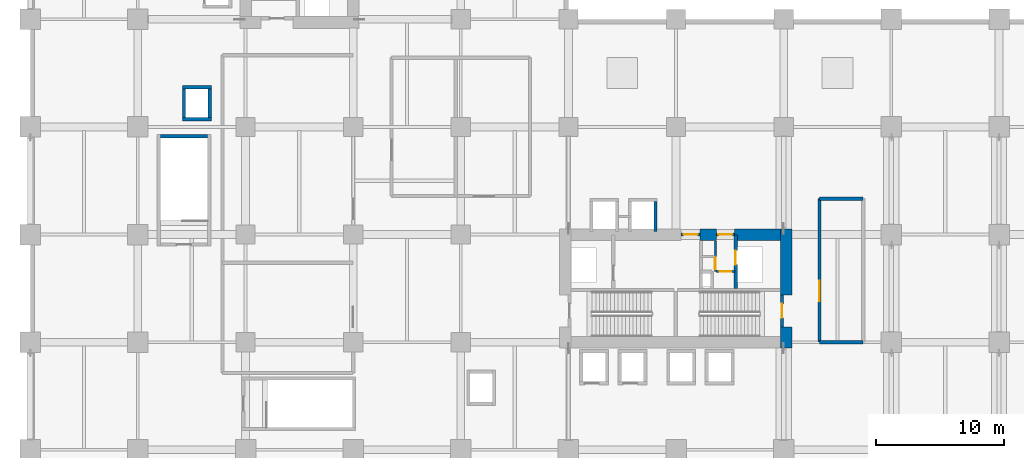
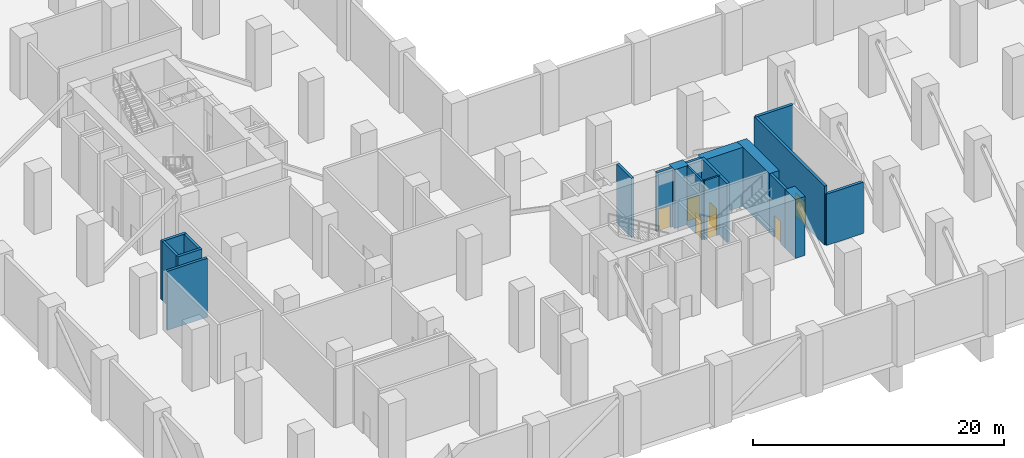
# One storey, part 14 of 20: 19 walls, 7 doors, 7 openings.
"""IFC4 building model written with IfcOpenShell, lengths in metres."""

from ifc_helpers import new_model, si_unit, direction, frame, frame_2d, origin, place, context, subcontext, project, spatial, rectangle, extrude, material, layer, layer_set, type_object, element, fill, save


model = new_model("IFC4")

# Units and contexts
model_context = context("Model", 3, precision=1e-05, world=origin(), true_north=direction((0.0, 1.0)))
body_context = subcontext(model_context, "Body", "Model", "MODEL_VIEW")
ifc_project = project(units=[si_unit("LENGTHUNIT", "METRE"), si_unit("AREAUNIT", "SQUARE_METRE"), si_unit("VOLUMEUNIT", "CUBIC_METRE"), si_unit("PLANEANGLEUNIT", "RADIAN"), si_unit("MASSUNIT", "GRAM", prefix="KILO")], contexts=[model_context])

# Site, building, storey
site_placement = place(None, origin())
site = spatial("IfcSite", under=ifc_project, at=site_placement, CompositionType="ELEMENT")
building_placement = place(site_placement, origin())
building = spatial("IfcBuilding", under=site, at=building_placement, Name="Koriwani Terraces Tower", CompositionType="ELEMENT")
storey_placement = place(building_placement, frame((0.0, 0.0, 26.0)))
storey = spatial("IfcBuildingStorey", under=building, at=storey_placement, Name="L05", CompositionType="ELEMENT", Elevation=26.0)

# Walls
ifc_material_1 = material(Name="Concrete C60/75", Category="concrete")
ifc_layer_1 = layer(ifc_material_1, 0.89990234375, Name="Concrete C60/75")
ifc_layer_set_1 = layer_set([ifc_layer_1], Name="Concrete C60/75")
wall_type_1 = type_object("IfcWallType", Name="WALL_CORE_RC_900", PredefinedType="SHEAR", material=ifc_layer_set_1)
wall_1_placement = place(storey_placement, frame((59.0, 16.35009765625, 0.0), z_axis=(0.0, 0.0, 1.0), x_axis=(0.0, 1.0, 0.0)))
element("IfcWall", 1, at=wall_1_placement, inside=storey, type_object=wall_type_1, Name="L05 East Split Core Shear Wall E1", PredefinedType="SHEAR", context=body_context, shape_type="SweptSolid", body=[
    extrude(rectangle(XDim=1.64990234375, YDim=0.89990234375, at=frame_2d((0.824951171875, 0.0))), origin(), (0.0, 0.0, 1.0), 5.75),
])
wall_2_placement = place(storey_placement, frame((59.0, 20.5, 0.0), z_axis=(0.0, 0.0, 1.0), x_axis=(0.0, 1.0, 0.0)))
element("IfcWall", 2, at=wall_2_placement, inside=storey, type_object=wall_type_1, Name="L05 East Split Core Shear Wall E2", PredefinedType="SHEAR", context=body_context, shape_type="SweptSolid", body=[
    extrude(rectangle(XDim=5.14990234375, YDim=0.89990234375, at=frame_2d((2.574951171875, 0.0))), origin(), (0.0, 0.0, 1.0), 5.75),
])
wall_3_placement = place(storey_placement, frame((52.280029296875, 25.199951171875, 0.0), z_axis=(0.0, 0.0, 1.0), x_axis=(1.0, 0.0, 0.0)))
element("IfcWall", 3, at=wall_3_placement, inside=storey, type_object=wall_type_1, Name="L05 East Split Core Shear Wall N2", PredefinedType="SHEAR", context=body_context, shape_type="SweptSolid", body=[
    extrude(rectangle(XDim=1.27001953125, YDim=0.89990234375, at=frame_2d((0.635009765625, 0.0))), origin(), (0.0, 0.0, 1.0), 5.75),
])
wall_4_placement = place(storey_placement, frame((54.949951171875, 25.199951171875, 0.0), z_axis=(0.0, 0.0, 1.0), x_axis=(1.0, 0.0, 0.0)))
element("IfcWall", 4, at=wall_4_placement, inside=storey, type_object=wall_type_1, Name="L05 East Split Core Shear Wall N3", PredefinedType="SHEAR", context=body_context, shape_type="SweptSolid", body=[
    extrude(rectangle(XDim=3.60009765625, YDim=0.89990234375, at=frame_2d((1.800048828125, 0.0))), origin(), (0.0, 0.0, 1.0), 5.75),
])
ifc_material_2 = material(Name="Concrete C40/50", Category="concrete")
ifc_layer_2 = layer(ifc_material_2, 0.25, Name="Concrete C40/50")
ifc_layer_set_2 = layer_set([ifc_layer_2], Name="Concrete C40/50")
wall_type_2 = type_object("IfcWallType", Name="WALL_SHAFT_RATED_250", PredefinedType="SOLIDWALL", material=ifc_layer_set_2)
wall_5_placement = place(storey_placement, frame((10.14990234375, 32.875, 0.0), z_axis=(0.0, 0.0, 1.0), x_axis=(1.0, 0.0, 0.0)))
element("IfcWall", 5, at=wall_5_placement, inside=storey, type_object=wall_type_2, Name="L05 Podium Stair ST-P1 North Bearing Wall", PredefinedType="SOLIDWALL", context=body_context, shape_type="SweptSolid", body=[
    extrude(rectangle(XDim=3.7001953125, YDim=0.25, at=frame_2d((1.85009765625, 0.0))), origin(), (0.0, 0.0, 1.0), 5.75),
])

# Wall, opening, door
wall_6_placement = place(storey_placement, frame((58.675048828125, 18.0, 0.0), z_axis=(0.0, 0.0, 1.0), x_axis=(0.0, 1.0, 0.0)))
wall_6 = element("IfcWall", 6, at=wall_6_placement, inside=storey, type_object=wall_type_2, Name="L05 Interior Wall WIN-CE-L05-STE", PredefinedType="SOLIDWALL", context=body_context, shape_type="SweptSolid", body=[
    extrude(rectangle(XDim=2.5, YDim=0.25, at=frame_2d((1.25, 0.0))), origin(), (0.0, 0.0, 1.0), 5.75),
])
opening_1_placement = place(wall_6_placement, frame((0.699951171875, 0.0, 0.0)))
opening_1 = element("IfcOpeningElement", 7, at=opening_1_placement, cuts=wall_6, Name="Opening D-03", PredefinedType="OPENING", context=body_context, shape_type="SweptSolid", body=[
    extrude(rectangle(XDim=1.10009765625, YDim=2.14990234375, at=frame_2d((0.550048828125, 1.074951171875))), frame((0.0, 0.135009765625, 0.0), z_axis=(0.0, -1.0, 0.0), x_axis=(1.0, 0.0, 0.0)), (0.0, 0.0, 1.0), 0.27001953125),
])
ifc_material_3 = material(Name="Steel ASTM A572 Grade 50", Category="steel")
door_type_1 = type_object("IfcDoorType", Name="DOOR_STAIR_FIRE_1100X2150", OperationType="NOTDEFINED", PredefinedType="DOOR", material=ifc_material_3)
door_1_placement = place(opening_1_placement, origin())
door_1 = element("IfcDoor", 8, at=door_1_placement, inside=storey, type_object=door_type_1, Name="L05 Exit Stair ST-E2 Door", OperationType="SINGLE_SWING_LEFT", OverallHeight=2.14990234375, OverallWidth=1.10009765625, PredefinedType="DOOR", context=body_context, shape_type="SweptSolid", body=[
    extrude(rectangle(XDim=1.10009765625, YDim=2.14990234375, at=frame_2d((0.550048828125, 1.074951171875))), frame((0.0, 0.02490234375, 0.0), z_axis=(0.0, -1.0, 0.0), x_axis=(1.0, 0.0, 0.0)), (0.0, 0.0, 1.0), 0.050048828125),
])
fill(opening_1, door_1)

wall_7_placement = place(storey_placement, frame((50.800048828125, 25.199951171875, 0.0), z_axis=(0.0, 0.0, 1.0), x_axis=(1.0, 0.0, 0.0)))
wall_7 = element("IfcWall", 9, at=wall_7_placement, inside=storey, type_object=wall_type_2, Name="L05 Interior Wall WIN-CE-L05-NP", PredefinedType="SOLIDWALL", context=body_context, shape_type="SweptSolid", body=[
    extrude(rectangle(XDim=1.47998046875, YDim=0.25, at=frame_2d((0.739990234375, 0.0))), origin(), (0.0, 0.0, 1.0), 5.75),
])
opening_2_placement = place(wall_7_placement, frame((0.179931640625, 0.0, 0.0)))
opening_2 = element("IfcOpeningElement", 10, at=opening_2_placement, cuts=wall_7, Name="Opening D-03", PredefinedType="OPENING", context=body_context, shape_type="SweptSolid", body=[
    extrude(rectangle(XDim=1.10009765625, YDim=2.14990234375, at=frame_2d((0.550048828125, 1.074951171875))), frame((0.0, 0.135009765625, 0.0), z_axis=(0.0, -1.0, 0.0), x_axis=(1.0, 0.0, 0.0)), (0.0, 0.0, 1.0), 0.27001953125),
])
door_2_placement = place(opening_2_placement, origin())
door_2 = element("IfcDoor", 11, at=door_2_placement, inside=storey, type_object=door_type_1, Name="L05 East Firefighting Lobby Door", OperationType="SINGLE_SWING_RIGHT", OverallHeight=2.14990234375, OverallWidth=1.10009765625, PredefinedType="DOOR", context=body_context, shape_type="SweptSolid", body=[
    extrude(rectangle(XDim=1.10009765625, YDim=2.14990234375, at=frame_2d((0.550048828125, 1.074951171875))), frame((0.0, 0.02490234375, 0.0), z_axis=(0.0, -1.0, 0.0), x_axis=(1.0, 0.0, 0.0)), (0.0, 0.0, 1.0), 0.050048828125),
])
fill(opening_2, door_2)

wall_8_placement = place(storey_placement, frame((55.050048828125, 21.0, 0.0), z_axis=(0.0, 0.0, 1.0), x_axis=(0.0, 1.0, 0.0)))
wall_8 = element("IfcWall", 12, at=wall_8_placement, inside=storey, type_object=wall_type_2, Name="L05 Interior Wall WIN-CE-L05-SE", PredefinedType="SOLIDWALL", context=body_context, shape_type="SweptSolid", body=[
    extrude(rectangle(XDim=4.14990234375, YDim=0.25, at=frame_2d((2.074951171875, 0.0))), origin(), (0.0, 0.0, 1.0), 5.75),
])
opening_3_placement = place(wall_8_placement, frame((1.85009765625, 0.0, 0.0)))
opening_3 = element("IfcOpeningElement", 13, at=opening_3_placement, cuts=wall_8, Name="Opening LD-01", PredefinedType="OPENING", context=body_context, shape_type="SweptSolid", body=[
    extrude(rectangle(XDim=1.10009765625, YDim=2.14990234375, at=frame_2d((0.550048828125, 1.074951171875))), frame((0.0, 0.135009765625, 0.0), z_axis=(0.0, -1.0, 0.0), x_axis=(1.0, 0.0, 0.0)), (0.0, 0.0, 1.0), 0.27001953125),
])
door_type_2 = type_object("IfcDoorType", Name="DOOR_LIFT_LANDING_1100X2200", OperationType="NOTDEFINED", PredefinedType="DOOR", material=ifc_material_3)
door_3_placement = place(opening_3_placement, origin())
door_3 = element("IfcDoor", 14, at=door_3_placement, inside=storey, type_object=door_type_2, Name="L05 Goods Lift SE-02 Landing Door", OperationType="SLIDING_TO_LEFT", OverallHeight=2.14990234375, OverallWidth=1.10009765625, PredefinedType="DOOR", context=body_context, shape_type="SweptSolid", body=[
    extrude(rectangle(XDim=1.10009765625, YDim=2.14990234375, at=frame_2d((0.550048828125, 1.074951171875))), frame((0.0, 0.02490234375, 0.0), z_axis=(0.0, -1.0, 0.0), x_axis=(1.0, 0.0, 0.0)), (0.0, 0.0, 1.0), 0.050048828125),
])
fill(opening_3, door_3)

wall_9_placement = place(storey_placement, frame((53.550048828125, 25.199951171875, 0.0), z_axis=(0.0, 0.0, 1.0), x_axis=(1.0, 0.0, 0.0)))
wall_9 = element("IfcWall", 15, at=wall_9_placement, inside=storey, type_object=wall_type_2, Name="L05 Interior Wall WIN-CE-L05-NP2", PredefinedType="SOLIDWALL", context=body_context, shape_type="SweptSolid", body=[
    extrude(rectangle(XDim=1.39990234375, YDim=0.25, at=frame_2d((0.699951171875, 0.0))), origin(), (0.0, 0.0, 1.0), 5.75),
])
opening_4_placement = place(wall_9_placement, frame((0.14990234375, 0.0, 0.0)))
opening_4 = element("IfcOpeningElement", 16, at=opening_4_placement, cuts=wall_9, Name="Opening D-03", PredefinedType="OPENING", context=body_context, shape_type="SweptSolid", body=[
    extrude(rectangle(XDim=1.10009765625, YDim=2.14990234375, at=frame_2d((0.550048828125, 1.074951171875))), frame((0.0, 0.135009765625, 0.0), z_axis=(0.0, -1.0, 0.0), x_axis=(1.0, 0.0, 0.0)), (0.0, 0.0, 1.0), 0.27001953125),
])
door_4_placement = place(opening_4_placement, origin())
door_4 = element("IfcDoor", 17, at=door_4_placement, inside=storey, type_object=door_type_1, Name="L05 East Goods Lift Lobby Door", OperationType="SINGLE_SWING_LEFT", OverallHeight=2.14990234375, OverallWidth=1.10009765625, PredefinedType="DOOR", context=body_context, shape_type="SweptSolid", body=[
    extrude(rectangle(XDim=1.10009765625, YDim=2.14990234375, at=frame_2d((0.550048828125, 1.074951171875))), frame((0.0, 0.02490234375, 0.0), z_axis=(0.0, -1.0, 0.0), x_axis=(1.0, 0.0, 0.0)), (0.0, 0.0, 1.0), 0.050048828125),
])
fill(opening_4, door_4)

# Walls
for number, where, z_axis, x_axis, name in (
    (18, (11.875, 34.199951171875, 0.0), (0.0, 0.0, 1.0), (1.0, 0.0, 0.0), "L05 Interior Wall WIN-LF-PE-P1-L05-F"),
    (19, (11.875, 36.699951171875, 0.0), (0.0, 0.0, 1.0), (1.0, 0.0, 0.0), "L05 Interior Wall WIN-LF-PE-P1-L05-B"),
    (20, (12.0, 34.324951171875, 0.0), (0.0, 0.0, 1.0), (0.0, 1.0, 0.0), "L05 Interior Wall WIN-LF-PE-P1-L05-W"),
    (21, (14.0, 34.324951171875, 0.0), (0.0, 0.0, 1.0), (0.0, 1.0, 0.0), "L05 Interior Wall WIN-LF-PE-P1-L05-E"),
):
    element("IfcWall", number, at=place(storey_placement, frame(where, z_axis=z_axis, x_axis=x_axis)), inside=storey, type_object=wall_type_2, Name=name, PredefinedType="SOLIDWALL", context=body_context, shape_type="SweptSolid", body=[
        extrude(rectangle(XDim=2.25, YDim=0.25, at=frame_2d((1.125, 0.0))), origin(), (0.0, 0.0, 1.0), 5.75),
    ])
wall_10_placement = place(storey_placement, frame((48.800048828125, 25.449951171875, 0.0), z_axis=(0.0, 0.0, 1.0), x_axis=(0.0, 1.0, 0.0)))
element("IfcWall", 22, at=wall_10_placement, inside=storey, type_object=wall_type_2, Name="L05 Interior Wall WIN-LF-PE-H4-L05-E", PredefinedType="SOLIDWALL", context=body_context, shape_type="SweptSolid", body=[
    extrude(rectangle(XDim=2.324951171875, YDim=0.25, at=frame_2d((1.16259765625, 0.0))), origin(), (0.0, 0.0, 1.0), 5.75),
])

# Wall, opening, door
wall_11_placement = place(storey_placement, frame((61.60009765625, 16.800048828125, 0.0), z_axis=(0.0, 0.0, 1.0), x_axis=(0.0, 1.0, 0.0)))
wall_11 = element("IfcWall", 23, at=wall_11_placement, inside=storey, type_object=wall_type_2, Name="L05 Interior Wall WREF-E1-L05", PredefinedType="SOLIDWALL", context=body_context, shape_type="SweptSolid", body=[
    extrude(rectangle(XDim=11.199951171875, YDim=0.25, at=frame_2d((5.60009765625, 0.0))), origin(), (0.0, 0.0, 1.0), 5.75),
])
opening_5_placement = place(wall_11_placement, frame((3.199951171875, 0.0, 0.0)))
opening_5 = element("IfcOpeningElement", 24, at=opening_5_placement, cuts=wall_11, Name="Opening D-08", PredefinedType="OPENING", context=body_context, shape_type="SweptSolid", body=[
    extrude(rectangle(XDim=1.60009765625, YDim=2.199951171875, at=frame_2d((0.800048828125, 1.10009765625))), frame((0.0, 0.135009765625, 0.0), z_axis=(0.0, -1.0, 0.0), x_axis=(1.0, 0.0, 0.0)), (0.0, 0.0, 1.0), 0.27001953125),
])
door_type_3 = type_object("IfcDoorType", Name="DOOR_PLANT_DOUBLE_1600X2200", OperationType="NOTDEFINED", PredefinedType="DOOR", material=ifc_material_3)
door_5_placement = place(opening_5_placement, origin())
door_5 = element("IfcDoor", 25, at=door_5_placement, inside=storey, type_object=door_type_3, Name="L05 East Fire Refuge Area Door", OperationType="SINGLE_SWING_RIGHT", OverallHeight=2.199951171875, OverallWidth=1.60009765625, PredefinedType="DOOR", context=body_context, shape_type="SweptSolid", body=[
    extrude(rectangle(XDim=1.60009765625, YDim=2.199951171875, at=frame_2d((0.800048828125, 1.10009765625))), frame((0.0, 0.02490234375, 0.0), z_axis=(0.0, -1.0, 0.0), x_axis=(1.0, 0.0, 0.0)), (0.0, 0.0, 1.0), 0.050048828125),
])
fill(opening_5, door_5)

# Walls
wall_12_placement = place(storey_placement, frame((61.60009765625, 16.800048828125, 0.0), z_axis=(0.0, 0.0, 1.0), x_axis=(1.0, 0.0, 0.0)))
element("IfcWall", 26, at=wall_12_placement, inside=storey, type_object=wall_type_2, Name="L05 Interior Wall WREF-E3-L05", PredefinedType="SOLIDWALL", context=body_context, shape_type="SweptSolid", body=[
    extrude(rectangle(XDim=3.39990234375, YDim=0.25, at=frame_2d((1.699951171875, 0.0))), origin(), (0.0, 0.0, 1.0), 5.0),
])
wall_13_placement = place(storey_placement, frame((61.60009765625, 28.0, 0.0), z_axis=(0.0, 0.0, 1.0), x_axis=(1.0, 0.0, 0.0)))
element("IfcWall", 27, at=wall_13_placement, inside=storey, type_object=wall_type_2, Name="L05 Interior Wall WREF-E4-L05", PredefinedType="SOLIDWALL", context=body_context, shape_type="SweptSolid", body=[
    extrude(rectangle(XDim=3.39990234375, YDim=0.25, at=frame_2d((1.699951171875, 0.0))), origin(), (0.0, 0.0, 1.0), 5.75),
])

# Wall, opening, door
ifc_material_4 = material(Name="Fire-Rated Acoustic Gypsum Partition", Category="masonry")
ifc_layer_3 = layer(ifc_material_4, 0.159912109375, Name="Fire-Rated Acoustic Gypsum Partition")
ifc_layer_set_3 = layer_set([ifc_layer_3], Name="Fire-Rated Acoustic Gypsum Partition")
wall_type_3 = type_object("IfcWallType", Name="WALL_SUITE_160", PredefinedType="PARTITIONING", material=ifc_layer_set_3)
wall_14_placement = place(storey_placement, frame((53.56005859375, 22.320068359375, 0.0), z_axis=(0.0, 0.0, 1.0), x_axis=(1.0, 0.0, 0.0)))
wall_14 = element("IfcWall", 28, at=wall_14_placement, inside=storey, type_object=wall_type_3, Name="L05 Interior Wall WIN-CE-L05-SV2A", PredefinedType="PARTITIONING", context=body_context, shape_type="SweptSolid", body=[
    extrude(rectangle(XDim=1.43994140625, YDim=0.159912109375, at=frame_2d((0.719970703125, 0.0))), origin(), (0.0, 0.0, 1.0), 5.75),
])
opening_6_placement = place(wall_14_placement, frame((0.260009765625, 0.0, 0.0)))
opening_6 = element("IfcOpeningElement", 29, at=opening_6_placement, cuts=wall_14, Name="Opening D-07", PredefinedType="OPENING", context=body_context, shape_type="SweptSolid", body=[
    extrude(rectangle(XDim=0.89990234375, YDim=2.10009765625, at=frame_2d((0.449951171875, 1.050048828125))), frame((0.0, 0.08984375, 0.0), z_axis=(0.0, -1.0, 0.0), x_axis=(1.0, 0.0, 0.0)), (0.0, 0.0, 1.0), 0.179931640625),
])
ifc_material_5 = material(Name="Architectural Oak Fire Door", Category="wood")
door_type_4 = type_object("IfcDoorType", Name="DOOR_BATH_INT_900X2100", OperationType="NOTDEFINED", PredefinedType="DOOR", material=ifc_material_5)
door_6_placement = place(opening_6_placement, origin())
door_6 = element("IfcDoor", 30, at=door_6_placement, inside=storey, type_object=door_type_4, Name="L05 East Meter Room Door", OperationType="SINGLE_SWING_RIGHT", OverallHeight=2.10009765625, OverallWidth=0.89990234375, PredefinedType="DOOR", context=body_context, shape_type="SweptSolid", body=[
    extrude(rectangle(XDim=0.89990234375, YDim=2.10009765625, at=frame_2d((0.449951171875, 1.050048828125))), frame((0.0, 0.02490234375, 0.0), z_axis=(0.0, -1.0, 0.0), x_axis=(1.0, 0.0, 0.0)), (0.0, 0.0, 1.0), 0.050048828125),
])
fill(opening_6, door_6)

wall_15_placement = place(storey_placement, frame((53.4599609375, 22.320068359375, 0.0), z_axis=(0.0, 0.0, 1.0), x_axis=(0.0, 1.0, 0.0)))
wall_15 = element("IfcWall", 31, at=wall_15_placement, inside=storey, type_object=wall_type_3, Name="L05 Interior Wall WIN-CE-L05-SV2H", PredefinedType="PARTITIONING", context=body_context, shape_type="SweptSolid", body=[
    extrude(rectangle(XDim=2.35986328125, YDim=0.159912109375, at=frame_2d((1.179931640625, 0.0))), origin(), (0.0, 0.0, 1.0), 5.75),
])
opening_7_placement = place(wall_15_placement, frame((0.159912109375, 0.0, 0.0)))
opening_7 = element("IfcOpeningElement", 32, at=opening_7_placement, cuts=wall_15, Name="Opening D-07", PredefinedType="OPENING", context=body_context, shape_type="SweptSolid", body=[
    extrude(rectangle(XDim=0.89990234375, YDim=2.10009765625, at=frame_2d((0.449951171875, 1.050048828125))), frame((0.0, 0.08984375, 0.0), z_axis=(0.0, -1.0, 0.0), x_axis=(1.0, 0.0, 0.0)), (0.0, 0.0, 1.0), 0.179931640625),
])
door_7_placement = place(opening_7_placement, origin())
door_7 = element("IfcDoor", 33, at=door_7_placement, inside=storey, type_object=door_type_4, Name="L05 East Valve Room Door", OperationType="SINGLE_SWING_LEFT", OverallHeight=2.10009765625, OverallWidth=0.89990234375, PredefinedType="DOOR", context=body_context, shape_type="SweptSolid", body=[
    extrude(rectangle(XDim=0.89990234375, YDim=2.10009765625, at=frame_2d((0.449951171875, 1.050048828125))), frame((0.0, 0.02490234375, 0.0), z_axis=(0.0, -1.0, 0.0), x_axis=(1.0, 0.0, 0.0)), (0.0, 0.0, 1.0), 0.050048828125),
])
fill(opening_7, door_7)

save(model, "model.ifc")
